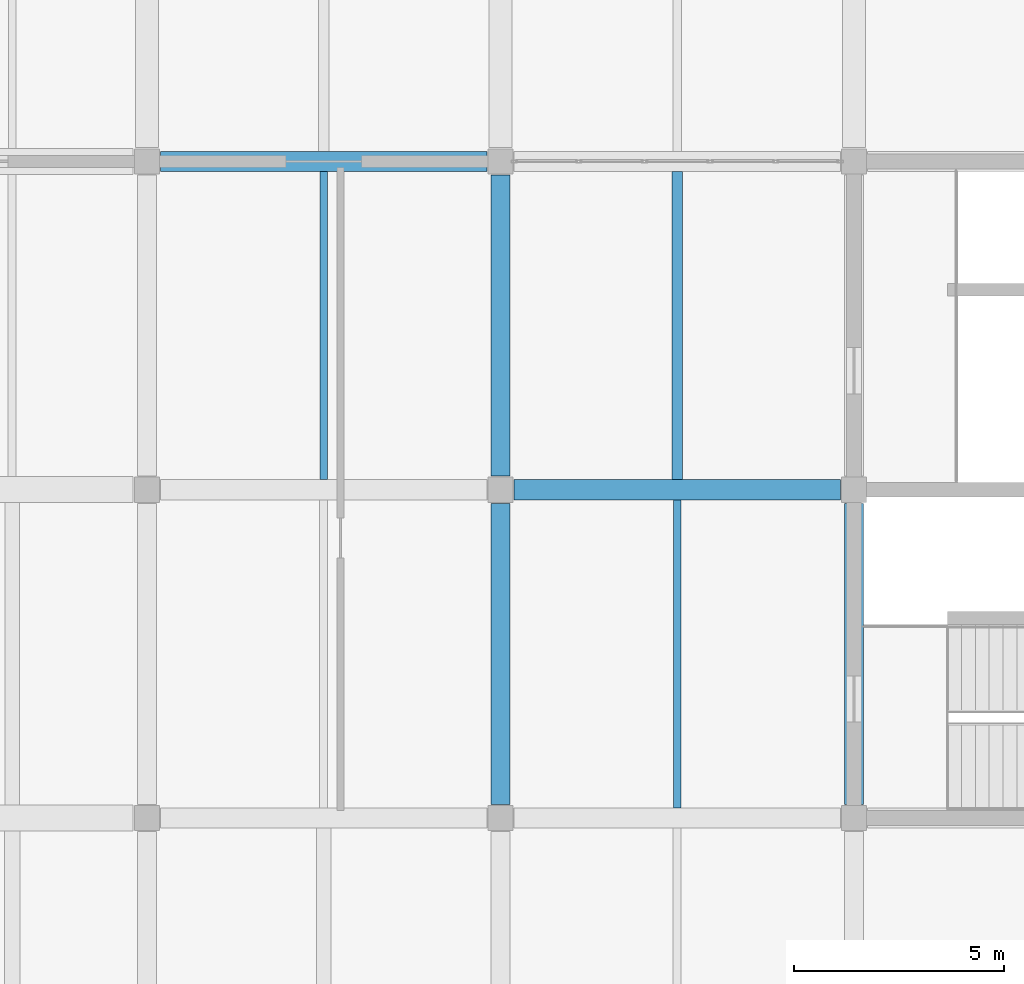
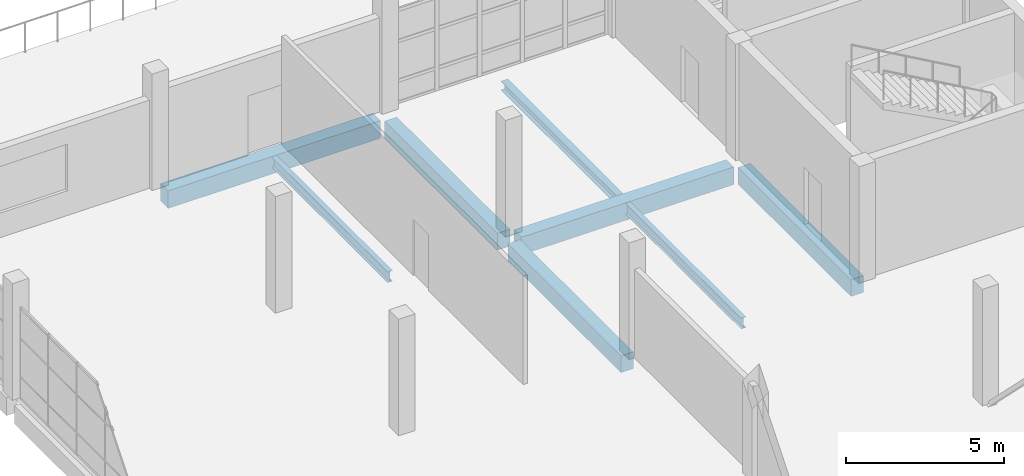
# One storey, part 30 of 71: 8 beams.
"""IFC4 building model written with IfcOpenShell, lengths in metres."""

import ifcopenshell
import ifcopenshell.guid

model = None  # the IFC model being written
_history = None  # IfcOwnerHistory: only IFC2X3 demands one
_inside = {}  # id of a spatial element -> (the spatial element, [elements in it])
_under = {}  # id of a project, library or spatial element -> (it, [spatial elements below it])
_declared = {}  # id of a project -> (the project, [libraries it declares])
_typed = {}  # id of a type object -> (the type object, [elements of that type])
_made_of = {}  # id of a material, layer set ... -> (it, [elements and type objects made of it])


def new_model(schema):
    """Start an empty IFC model of exactly this schema.

    Asked for "IFC4X3", IfcOpenShell would pick the latest addendum, in which some entities
    have other attributes; the version numbers below select the first issue.
    IFC2X3 requires an IfcOwnerHistory on every rooted entity: one is made here for all.
    """
    global model, _history
    if schema == "IFC4X3":
        model = ifcopenshell.file(schema_version=(4, 3, 0, 0))
    else:
        model = ifcopenshell.file(schema=schema)
    _inside.clear()
    _under.clear()
    _declared.clear()
    _typed.clear()
    _made_of.clear()
    _history = None
    if model.schema == "IFC2X3":
        org = make("IfcOrganization", Name="unknown")
        user = make(
            "IfcPersonAndOrganization",
            ThePerson=make("IfcPerson", FamilyName="unknown"),
            TheOrganization=org,
        )
        app = make(
            "IfcApplication",
            ApplicationDeveloper=org,
            Version="unknown",
            ApplicationFullName="unknown",
            ApplicationIdentifier="unknown",
        )
        _history = make(
            "IfcOwnerHistory",
            OwningUser=user,
            OwningApplication=app,
            ChangeAction="ADDED",
            CreationDate=0,
        )
    return model


def make(cls, **values):
    """One entity of the class cls with the attributes given. An attribute that is None is left unset."""
    return model.create_entity(
        cls, **{name: value for name, value in values.items() if value is not None}
    )


def rooted(cls, **values):
    """An entity with a GlobalId (a new one), such as an element, a storey or a relation."""
    return make(cls, GlobalId=ifcopenshell.guid.new(), OwnerHistory=_history, **values)


def si_unit(unit_type, name, prefix=None):
    """IfcSIUnit, for example si_unit("LENGTHUNIT", "METRE", prefix="MILLI")."""
    return make("IfcSIUnit", UnitType=unit_type, Prefix=prefix, Name=name)


def assignment(units):
    """IfcUnitAssignment: the units of a project."""
    return None if units is None else make("IfcUnitAssignment", Units=units)


def point(xyz):
    """IfcCartesianPoint."""
    return None if xyz is None else make("IfcCartesianPoint", Coordinates=xyz)


def direction(xyz):
    """IfcDirection."""
    return None if xyz is None else make("IfcDirection", DirectionRatios=xyz)


def frame(location, z_axis=None, x_axis=None):
    """IfcAxis2Placement3D, a coordinate frame: its origin and axes. An axis left out is left unset."""
    return make(
        "IfcAxis2Placement3D",
        Location=point(location),
        Axis=direction(z_axis),
        RefDirection=direction(x_axis),
    )


def frame_2d(location, x_axis=None):
    """IfcAxis2Placement2D, a coordinate frame in the plane: its origin and x axis."""
    return make(
        "IfcAxis2Placement2D", Location=point(location), RefDirection=direction(x_axis)
    )


def origin():
    """The frame at (0, 0, 0) with its axes left unset."""
    return frame((0.0, 0.0, 0.0))


def origin_2d():
    """The frame at (0, 0) in the plane with its x axis left unset."""
    return frame_2d((0.0, 0.0))


def place(relative_to, where):
    """IfcLocalPlacement: puts the frame where relative to a parent placement (None: the world)."""
    return make(
        "IfcLocalPlacement", PlacementRelTo=relative_to, RelativePlacement=where
    )


def context(
    kind, dimensions, precision=None, world=None, true_north=None, identifier=None
):
    """IfcGeometricRepresentationContext, for example the 3D "Model" context."""
    return make(
        "IfcGeometricRepresentationContext",
        ContextIdentifier=identifier,
        ContextType=kind,
        CoordinateSpaceDimension=dimensions,
        Precision=precision,
        WorldCoordinateSystem=world,
        TrueNorth=true_north,
    )


def subcontext(parent, identifier, kind, view, scale=None):
    """IfcGeometricRepresentationSubContext, for example "Body" below "Model"."""
    return make(
        "IfcGeometricRepresentationSubContext",
        ContextIdentifier=identifier,
        ContextType=kind,
        ParentContext=parent,
        TargetScale=scale,
        TargetView=view,
    )


def project(units=None, contexts=None):
    """IfcProject with its units and contexts."""
    return rooted(
        "IfcProject",
        Name="project",
        RepresentationContexts=contexts,
        UnitsInContext=assignment(units),
    )


def spatial(cls, under=None, at=None, **own):
    """A site, building, storey or space (cls), placed at a placement, below another one or the project."""
    s = rooted(cls, ObjectPlacement=at, **own)
    if under is not None:
        _under.setdefault(under.id(), (under, []))[1].append(s)
    return s


def profile(cls, at=None, kind="AREA", **sizes):
    """A parametric profile (cls). Its sizes go by their IFC names, for example OverallWidth=200.0."""
    return make(cls, ProfileType=kind, Position=at, **sizes)


def rectangle(**sizes):
    """IfcRectangleProfileDef."""
    return profile("IfcRectangleProfileDef", **sizes)


def i_section(**sizes):
    """IfcIShapeProfileDef."""
    return profile("IfcIShapeProfileDef", **sizes)


def extrude(swept, where, along, depth):
    """IfcExtrudedAreaSolid: the profile swept, set in the frame where, extruded along a direction by depth."""
    return make(
        "IfcExtrudedAreaSolid",
        SweptArea=swept,
        Position=where,
        ExtrudedDirection=direction(along),
        Depth=depth,
    )


def shape(context_of_items, identifier, shape_type, items):
    """IfcShapeRepresentation: the items that make up one representation, for example the "Body"."""
    return make(
        "IfcShapeRepresentation",
        ContextOfItems=context_of_items,
        RepresentationIdentifier=identifier,
        RepresentationType=shape_type,
        Items=items,
    )


def material(Name=None, Category=None):
    """IfcMaterial."""
    return make("IfcMaterial", Name=Name, Category=Category)


def material_profile(
    of_material, cross_section, Name=None, Category=None, Priority=None
):
    """IfcMaterialProfile: a cross section and its material."""
    return make(
        "IfcMaterialProfile",
        Name=Name,
        Material=of_material,
        Profile=cross_section,
        Priority=Priority,
        Category=Category,
    )


def profile_set(profiles, Name=None, composite=None):
    """IfcMaterialProfileSet."""
    return make(
        "IfcMaterialProfileSet",
        Name=Name,
        MaterialProfiles=profiles,
        CompositeProfile=composite,
    )


def made_of(thing, what):
    """Note that an element or type object is made of a material, layer set ...; save() writes the relation."""
    if what is not None:
        _made_of.setdefault(what.id(), (what, []))[1].append(thing)
    return thing


def type_object(cls, material=None, **own):
    """A type object (cls), such as IfcWallType, which elements share."""
    return made_of(rooted(cls, **own), material)


def element(
    cls,
    number,
    at=None,
    inside=None,
    cuts=None,
    type_object=None,
    material=None,
    context=None,
    identifier="Body",
    shape_type=None,
    held_by="IfcProductDefinitionShape",
    body=None,
    shapes=None,
    **own,
):
    """One element of the class cls, such as IfcWall. Its Tag is "e" and its number.

    at: its placement. inside: the storey or other place that contains it. cuts: it is an
    opening in that element (IfcRelVoidsElement). A single representation is given by context,
    identifier, shape_type and body (its items); several are given by shapes. held_by: the class
    of the entity that holds the representations. save() writes the other relations.
    """
    e = rooted(cls, Tag="e%d" % number, ObjectPlacement=at, **own)
    if body is not None:
        shapes = [shape(context, identifier, shape_type, body)]
    if shapes is not None:
        e.Representation = make(held_by, Representations=shapes)
    if inside is not None:
        _inside.setdefault(inside.id(), (inside, []))[1].append(e)
    if cuts is not None:
        rooted(
            "IfcRelVoidsElement", RelatingBuildingElement=cuts, RelatedOpeningElement=e
        )
    if type_object is not None:
        _typed.setdefault(type_object.id(), (type_object, []))[1].append(e)
    return made_of(e, material)


def aggregate(whole, parts):
    """IfcRelAggregates: a whole, such as a stair, and the parts it consists of."""
    return rooted("IfcRelAggregates", RelatingObject=whole, RelatedObjects=parts)


def save(model, path):
    """Write the relations noted so far, then the file.

    IfcRelAggregates (storeys below a building ...), IfcRelContainedInSpatialStructure (elements
    in a storey), IfcRelDefinesByType, IfcRelAssociatesMaterial and IfcRelDeclares: one each for
    every whole, place, type object, material and project.
    """
    for whole, parts in _under.values():
        aggregate(whole, parts)
    for where, things in _inside.values():
        rooted(
            "IfcRelContainedInSpatialStructure",
            RelatedElements=things,
            RelatingStructure=where,
        )
    for kind, things in _typed.values():
        rooted("IfcRelDefinesByType", RelatedObjects=things, RelatingType=kind)
    for what, things in _made_of.values():
        rooted("IfcRelAssociatesMaterial", RelatedObjects=things, RelatingMaterial=what)
    for by, libraries in _declared.values():
        rooted("IfcRelDeclares", RelatingContext=by, RelatedDefinitions=libraries)
    model.write(path)


model = new_model("IFC4")

# Units and contexts
model_context = context("Model", 3, precision=1e-05, world=origin(), true_north=direction((0.0, 1.0)))
body_context = subcontext(model_context, "Body", "Model", "MODEL_VIEW")
ifc_project = project(units=[si_unit("LENGTHUNIT", "METRE"), si_unit("AREAUNIT", "SQUARE_METRE"), si_unit("VOLUMEUNIT", "CUBIC_METRE"), si_unit("PLANEANGLEUNIT", "RADIAN"), si_unit("MASSUNIT", "GRAM", prefix="KILO")], contexts=[model_context])

# Site, building, storey
site_placement = place(None, origin())
site = spatial("IfcSite", under=ifc_project, at=site_placement, CompositionType="ELEMENT")
building_placement = place(site_placement, origin())
building = spatial("IfcBuilding", under=site, at=building_placement, Name="Pellamere Symphony Hall", CompositionType="ELEMENT")
storey_placement = place(building_placement, frame((0.0, 0.0, 15.0)))
storey = spatial("IfcBuildingStorey", under=building, at=storey_placement, Name="L03", CompositionType="ELEMENT", Elevation=15.0)

# Beams
ifc_material_1 = material(Name="Concrete 40 MPa", Category="concrete")
ifc_material_profile_1 = material_profile(ifc_material_1, rectangle(XDim=0.449951171875, YDim=0.64990234375, at=origin_2d()), Name="RC 450x650")
ifc_profile_set_1 = profile_set([ifc_material_profile_1], Name="Concrete 40 MPa")
beam_type_1 = type_object("IfcBeamType", Name="RC CB-08 450x650", PredefinedType="BEAM", material=ifc_profile_set_1)
for number, where, z_axis, x_axis, name in (
    (1, (156.0, 69.925048828125, -0.5849609375), (0.0, 1.0, 0.0), (-1.0, 0.0, 0.0), "Girder CB-08-Y1694 (L03)"),
    (2, (156.0, 77.72509765625, -0.5849609375), (0.0, 1.0, 0.0), (-1.0, 0.0, 0.0), "Girder CB-08-Y1695 (L03)"),
    (3, (164.39990234375, 69.925048828125, -0.5849609375), (0.0, 1.0, 0.0), (-1.0, 0.0, 0.0), "Girder CB-08-Y1703 (L03)"),
):
    element("IfcBeam", number, at=place(storey_placement, frame(where, z_axis=z_axis, x_axis=x_axis)), inside=storey, type_object=beam_type_1, Name=name, PredefinedType="BEAM", context=body_context, shape_type="SweptSolid", body=[
        extrude(rectangle(XDim=0.449951171875, YDim=0.64990234375, at=origin_2d()), origin(), (0.0, 0.0, 1.0), 7.14990234375),
    ])
ifc_material_profile_2 = material_profile(ifc_material_1, rectangle(XDim=0.47998046875, YDim=0.679931640625, at=origin_2d()), Name="RC 480x680")
ifc_profile_set_2 = profile_set([ifc_material_profile_2], Name="Concrete 40 MPa")
beam_type_2 = type_object("IfcBeamType", Name="RC CB-19 480x680", PredefinedType="BEAM", material=ifc_profile_set_2)
for number, where, z_axis, x_axis, name in (
    (4, (156.324951171875, 77.39990234375, -0.60009765625), (1.0, 0.0, 0.0), (0.0, 1.0, 0.0), "Girder CB-19-X1582 (L03)"),
    (5, (147.925048828125, 85.199951171875, -0.60009765625), (1.0, 0.0, 0.0), (0.0, 1.0, 0.0), "Girder CB-19-X1591 (L03)"),
):
    element("IfcBeam", number, at=place(storey_placement, frame(where, z_axis=z_axis, x_axis=x_axis)), inside=storey, type_object=beam_type_2, Name=name, PredefinedType="BEAM", context=body_context, shape_type="SweptSolid", body=[
        extrude(rectangle(XDim=0.47998046875, YDim=0.679931640625, at=origin_2d()), origin(), (0.0, 0.0, 1.0), 7.75),
    ])
ifc_material_2 = material(Name="Steel CSA G40.21 350W", Category="steel")
ifc_material_profile_3 = material_profile(ifc_material_2, i_section(OverallWidth=0.179931640625, OverallDepth=0.4130859375, WebThickness=0.009765625, FlangeThickness=0.01513671875, at=origin_2d()), Name="W410X74")
ifc_profile_set_3 = profile_set([ifc_material_profile_3], Name="Steel CSA G40.21 350W")
beam_type_3 = type_object("IfcBeamType", Name="Steel Joist SB-19 W410X74", PredefinedType="JOIST", material=ifc_profile_set_3)
beam_1_placement = place(storey_placement, frame((151.800048828125, 77.639892578125, -0.4814453125), z_axis=(0.0, 1.0, 0.0), x_axis=(-1.0, 0.0, 0.0)))
element("IfcBeam", 6, at=beam_1_placement, inside=storey, type_object=beam_type_3, Name="Secondary Floor Beam SB-19-M1810 (L03)", PredefinedType="JOIST", context=body_context, shape_type="SweptSolid", body=[
    extrude(i_section(OverallWidth=0.179931640625, OverallDepth=0.4130859375, WebThickness=0.009765625, FlangeThickness=0.01513671875, at=origin_2d()), origin(), (0.0, 0.0, 1.0), 7.320068359375),
])
beam_2_placement = place(storey_placement, frame((160.199951171875, 69.840087890625, -0.4814453125), z_axis=(0.0, 1.0, 0.0), x_axis=(-1.0, 0.0, 0.0)))
element("IfcBeam", 7, at=beam_2_placement, inside=storey, type_object=beam_type_3, Name="Secondary Floor Beam SB-19-M1909 (L03)", PredefinedType="JOIST", context=body_context, shape_type="SweptSolid", body=[
    extrude(i_section(OverallWidth=0.179931640625, OverallDepth=0.4130859375, WebThickness=0.009765625, FlangeThickness=0.01513671875, at=origin_2d()), origin(), (0.0, 0.0, 1.0), 7.31982421875),
])
ifc_material_profile_4 = material_profile(ifc_material_2, i_section(OverallWidth=0.25390625, OverallDepth=0.35302734375, WebThickness=0.009521484375, FlangeThickness=0.016357421875, at=origin_2d()), Name="W360X91")
ifc_profile_set_4 = profile_set([ifc_material_profile_4], Name="Steel CSA G40.21 350W")
beam_type_4 = type_object("IfcBeamType", Name="Steel Joist SB-20 W360X91", PredefinedType="JOIST", material=ifc_profile_set_4)
beam_3_placement = place(storey_placement, frame((160.199951171875, 77.639892578125, -0.451416015625), z_axis=(0.0, 1.0, 0.0), x_axis=(-1.0, 0.0, 0.0)))
element("IfcBeam", 8, at=beam_3_placement, inside=storey, type_object=beam_type_4, Name="Secondary Floor Beam SB-20-M1910 (L03)", PredefinedType="JOIST", context=body_context, shape_type="SweptSolid", body=[
    extrude(i_section(OverallWidth=0.25390625, OverallDepth=0.35302734375, WebThickness=0.009521484375, FlangeThickness=0.016357421875, at=origin_2d()), origin(), (0.0, 0.0, 1.0), 7.320068359375),
])

save(model, "model.ifc")
